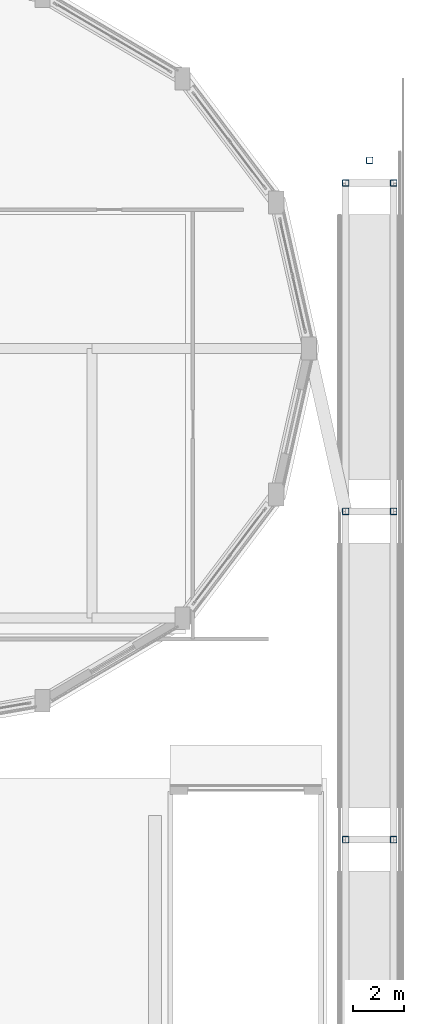
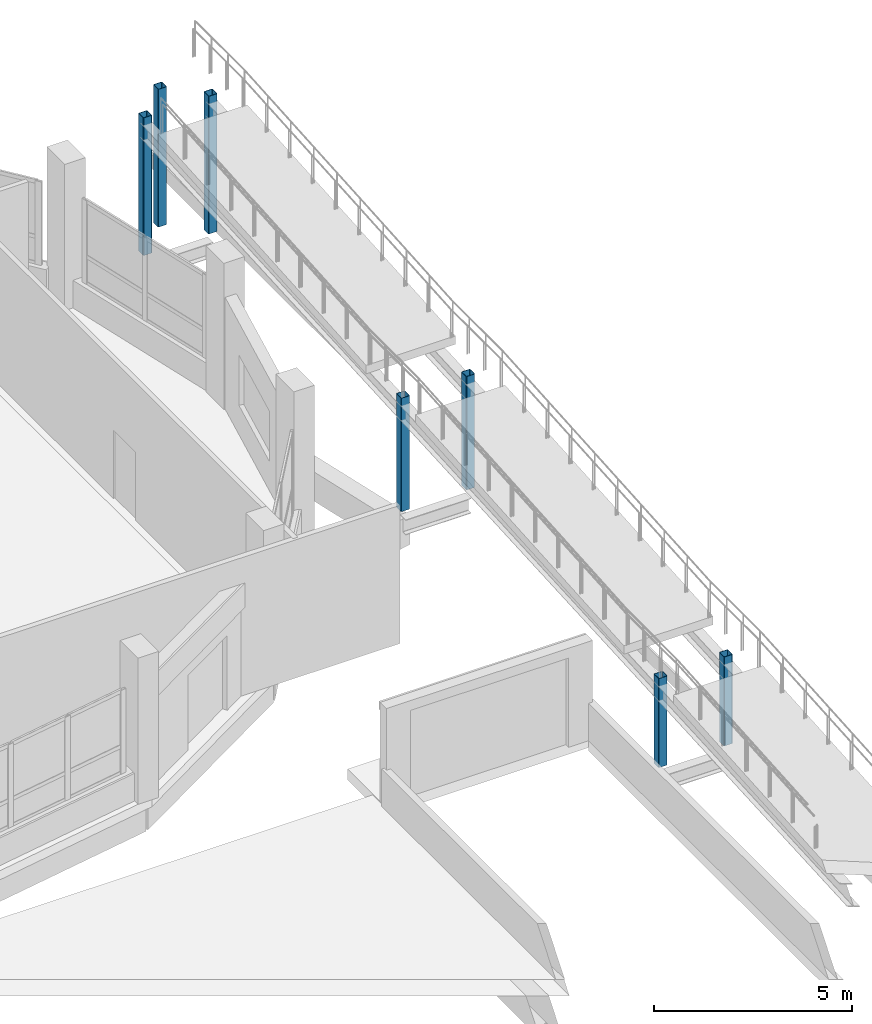
# One storey, part 15 of 129: 7 columns.
"""IFC4 building model written with IfcOpenShell, lengths in metres."""

from ifc_helpers import new_model, si_unit, direction, frame, origin, origin_2d, place, context, subcontext, project, spatial, hollow_rectangle, extrude, material, material_profile, profile_set, type_object, element, save


model = new_model("IFC4")

# Units and contexts
model_context = context("Model", 3, precision=1e-05, world=origin(), true_north=direction((0.0, 1.0)))
body_context = subcontext(model_context, "Body", "Model", "MODEL_VIEW")
ifc_project = project(units=[si_unit("LENGTHUNIT", "METRE"), si_unit("AREAUNIT", "SQUARE_METRE"), si_unit("VOLUMEUNIT", "CUBIC_METRE"), si_unit("PLANEANGLEUNIT", "RADIAN"), si_unit("MASSUNIT", "GRAM", prefix="KILO")], contexts=[model_context])

# Site, building, storey
site_placement = place(None, origin())
site = spatial("IfcSite", under=ifc_project, at=site_placement, CompositionType="ELEMENT")
building_placement = place(site_placement, origin())
building = spatial("IfcBuilding", under=site, at=building_placement, Name="Vespera Passage Community Centre", CompositionType="ELEMENT")
storey_placement = place(building_placement, origin())
storey = spatial("IfcBuildingStorey", under=building, at=storey_placement, Name="L00", CompositionType="ELEMENT", Elevation=0.0)

# Columns
ifc_material = material(Name="Steel ASTM A500 Grade C", Category="steel")
ifc_material_profile = material_profile(ifc_material, hollow_rectangle(XDim=0.25390625, YDim=0.25390625, WallThickness=0.01171875, InnerFilletRadius=0.01171875, OuterFilletRadius=0.023681640625, at=origin_2d()), Name="HSS254X254X12.7")
ifc_profile_set = profile_set([ifc_material_profile], Name="Steel ASTM A500 Grade C")
column_type = type_object("IfcColumnType", Name="COL-HSS254E", PredefinedType="COLUMN", material=ifc_profile_set)
for number, where, z_axis, x_axis, name in (
    (1, (161.550048828125, 70.050048828125, 0.0), (0.0, 0.0, 1.0), (1.0, 0.0, 0.0), "L00 Pier RB1-P04-1"),
    (2, (163.449951171875, 70.050048828125, 0.0), (0.0, 0.0, 1.0), (1.0, 0.0, 0.0), "L00 Pier RB1-P04-2"),
):
    element("IfcColumn", number, at=place(storey_placement, frame(where, z_axis=z_axis, x_axis=x_axis)), inside=storey, type_object=column_type, Name=name, PredefinedType="COLUMN", context=body_context, shape_type="SweptSolid", body=[
        extrude(hollow_rectangle(XDim=0.25390625, YDim=0.25390625, WallThickness=0.01171875, InnerFilletRadius=0.01171875, OuterFilletRadius=0.023681640625, at=origin_2d()), origin(), (0.0, 0.0, 1.0), 2.739990234375),
    ])
for number, where, z_axis, x_axis, name in (
    (3, (161.550048828125, 83.050048828125, 0.0), (0.0, 0.0, 1.0), (1.0, 0.0, 0.0), "L00 Pier RB1-P05-1"),
    (4, (163.449951171875, 83.050048828125, 0.0), (0.0, 0.0, 1.0), (1.0, 0.0, 0.0), "L00 Pier RB1-P05-2"),
):
    element("IfcColumn", number, at=place(storey_placement, frame(where, z_axis=z_axis, x_axis=x_axis)), inside=storey, type_object=column_type, Name=name, PredefinedType="COLUMN", context=body_context, shape_type="SweptSolid", body=[
        extrude(hollow_rectangle(XDim=0.25390625, YDim=0.25390625, WallThickness=0.01171875, InnerFilletRadius=0.01171875, OuterFilletRadius=0.023681640625, at=origin_2d()), origin(), (0.0, 0.0, 1.0), 3.489990234375),
    ])
for number, where, z_axis, x_axis, name in (
    (5, (161.550048828125, 96.050048828125, 0.0), (0.0, 0.0, 1.0), (1.0, 0.0, 0.0), "L00 Pier RB1-P06-1"),
    (6, (163.449951171875, 96.050048828125, 0.0), (0.0, 0.0, 1.0), (1.0, 0.0, 0.0), "L00 Pier RB1-P06-2"),
    (7, (162.5, 96.949951171875, 0.0), (0.0, 0.0, 1.0), (1.0, 0.0, 0.0), "L00 Pier RB1-P06-3"),
):
    element("IfcColumn", number, at=place(storey_placement, frame(where, z_axis=z_axis, x_axis=x_axis)), inside=storey, type_object=column_type, Name=name, PredefinedType="COLUMN", context=body_context, shape_type="SweptSolid", body=[
        extrude(hollow_rectangle(XDim=0.25390625, YDim=0.25390625, WallThickness=0.01171875, InnerFilletRadius=0.01171875, OuterFilletRadius=0.023681640625, at=origin_2d()), origin(), (0.0, 0.0, 1.0), 4.239990234375),
    ])

save(model, "model.ifc")
